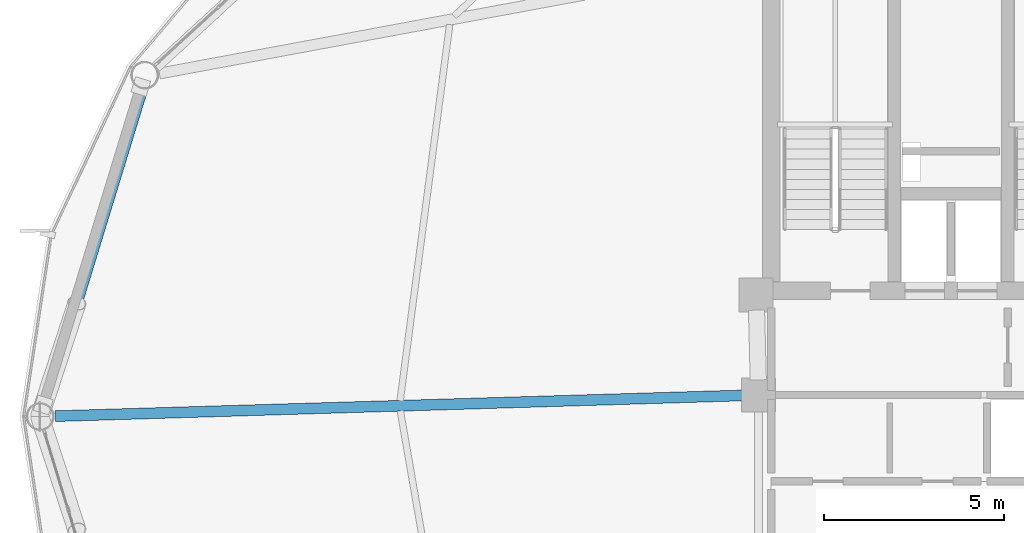
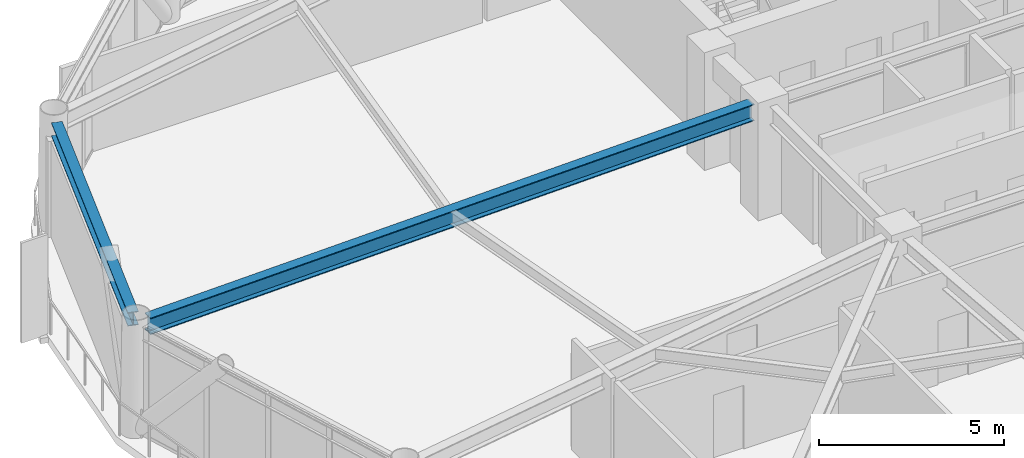
# One storey, part 10 of 25: 2 beams.
"""IFC4 building model written with IfcOpenShell, lengths in metres."""

from ifc_helpers import new_model, si_unit, direction, frame, origin, origin_2d, place, context, subcontext, project, spatial, i_section, extrude, material, material_profile, profile_set, type_object, element, save


model = new_model("IFC4")

# Units and contexts
model_context = context("Model", 3, precision=1e-05, world=origin(), true_north=direction((0.0, 1.0)))
body_context = subcontext(model_context, "Body", "Model", "MODEL_VIEW")
ifc_project = project(units=[si_unit("LENGTHUNIT", "METRE"), si_unit("AREAUNIT", "SQUARE_METRE"), si_unit("VOLUMEUNIT", "CUBIC_METRE"), si_unit("PLANEANGLEUNIT", "RADIAN"), si_unit("MASSUNIT", "GRAM", prefix="KILO")], contexts=[model_context])

# Site, building, storey
site_placement = place(None, origin())
site = spatial("IfcSite", under=ifc_project, at=site_placement, CompositionType="ELEMENT")
building_placement = place(site_placement, origin())
building = spatial("IfcBuilding", under=site, at=building_placement, Name="Varnakorn Sky Granary", CompositionType="ELEMENT")
storey_placement = place(building_placement, frame((0.0, 0.0, 146.10009765625)))
storey = spatial("IfcBuildingStorey", under=building, at=storey_placement, Name="L36", CompositionType="ELEMENT", Elevation=146.10009765625)

# Beams
ifc_material = material(Name="Steel S355JR", Category="steel")
ifc_material_profile_1 = material_profile(ifc_material, i_section(OverallWidth=0.300048828125, OverallDepth=0.550048828125, WebThickness=0.014892578125, FlangeThickness=0.029052734375, at=origin_2d()), Name="HE 550 B")
ifc_profile_set_1 = profile_set([ifc_material_profile_1], Name="Steel S355JR")
beam_type_1 = type_object("IfcBeamType", Name="BM-RAD-Z3", PredefinedType="BEAM", material=ifc_profile_set_1)
beam_1_placement = place(storey_placement, frame((-2.769775390625, 0.58740234375, 3.364990234375), z_axis=(-0.999547181007, -0.030090412791, 0.0), x_axis=(0.030090412791, -0.999547181007, 0.0)))
element("IfcBeam", 1, at=beam_1_placement, inside=storey, type_object=beam_type_1, Name="Radial Floor Girder RG07 L36", PredefinedType="BEAM", context=body_context, shape_type="SweptSolid", body=[
    extrude(i_section(OverallWidth=0.300048828125, OverallDepth=0.550048828125, WebThickness=0.014892578125, FlangeThickness=0.029052734375, at=origin_2d()), origin(), (0.0, 0.0, 1.0), 19.15625),
])
ifc_material_profile_2 = material_profile(ifc_material, i_section(OverallWidth=0.300048828125, OverallDepth=0.449951171875, WebThickness=0.013916015625, FlangeThickness=0.02587890625, at=origin_2d()), Name="HE 450 B")
ifc_profile_set_2 = profile_set([ifc_material_profile_2], Name="Steel S355JR")
beam_type_2 = type_object("IfcBeamType", Name="BM-SPD-Z3", PredefinedType="SPANDREL", material=ifc_profile_set_2)
beam_2_placement = place(storey_placement, frame((-19.48876953125, 9.12646484375, 3.414794921875), z_axis=(-0.292751000274, -0.956188711416, 0.0), x_axis=(0.956188711416, -0.292751000274, 0.0)))
element("IfcBeam", 2, at=beam_2_placement, inside=storey, type_object=beam_type_2, Name="Perimeter Spandrel Ring Beam RB06 L36", PredefinedType="SPANDREL", context=body_context, shape_type="SweptSolid", body=[
    extrude(i_section(OverallWidth=0.300048828125, OverallDepth=0.449951171875, WebThickness=0.013916015625, FlangeThickness=0.02587890625, at=origin_2d()), origin(), (0.0, 0.0, 1.0), 9.178466796875),
])

save(model, "model.ifc")
